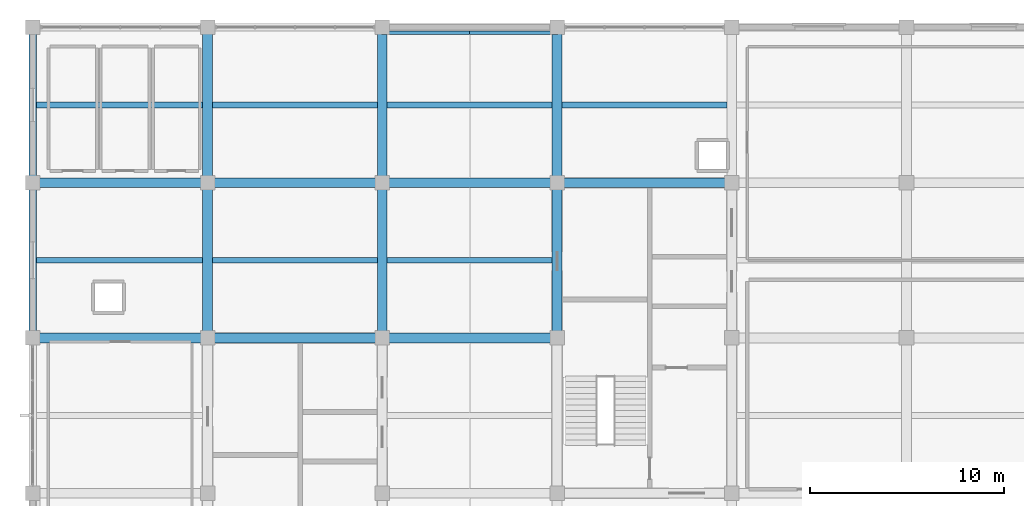
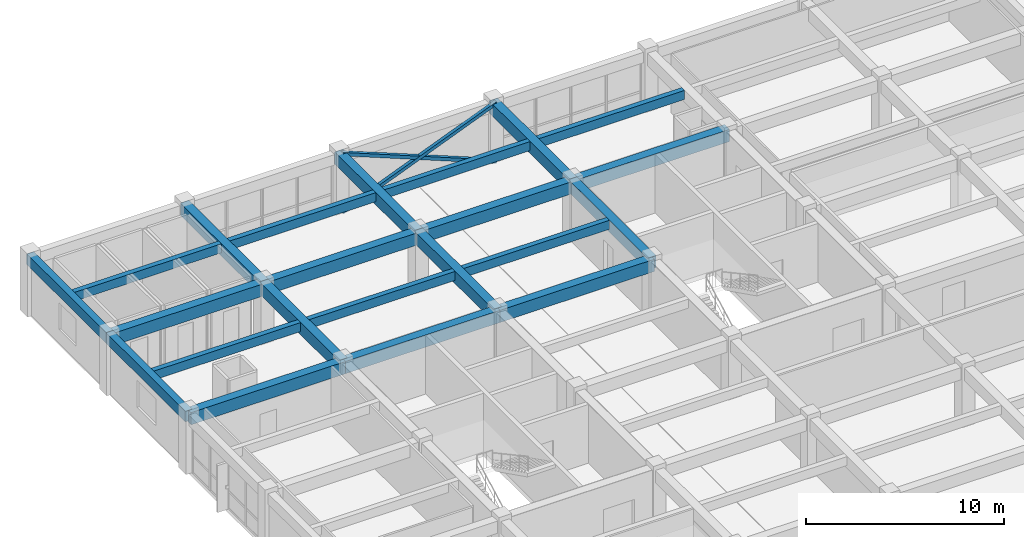
# One storey, part 7 of 15: 22 beams, 2 members.
"""IFC4 building model written with IfcOpenShell, lengths in metres."""

from ifc_helpers import new_model, si_unit, direction, frame, origin, origin_2d, place, context, subcontext, project, spatial, rectangle, hollow_rectangle, extrude, material, material_profile, profile_set, type_object, element, save


model = new_model("IFC4")

# Units and contexts
model_context = context("Model", 3, precision=1e-05, world=origin(), true_north=direction((0.0, 1.0)))
body_context = subcontext(model_context, "Body", "Model", "MODEL_VIEW")
ifc_project = project(units=[si_unit("LENGTHUNIT", "METRE"), si_unit("AREAUNIT", "SQUARE_METRE"), si_unit("VOLUMEUNIT", "CUBIC_METRE"), si_unit("PLANEANGLEUNIT", "RADIAN"), si_unit("MASSUNIT", "GRAM", prefix="KILO")], contexts=[model_context])

# Site, building, storey
site_placement = place(None, origin())
site = spatial("IfcSite", under=ifc_project, at=site_placement, CompositionType="ELEMENT")
building_placement = place(site_placement, origin())
building = spatial("IfcBuilding", under=site, at=building_placement, Name="Zaverband Oceanarium and Marine Research Institute", CompositionType="ELEMENT")
storey_placement = place(building_placement, frame((0.0, 0.0, 45.300048828125)))
storey = spatial("IfcBuildingStorey", under=building, at=storey_placement, Name="L11", CompositionType="ELEMENT", Elevation=45.300048828125)

# Beams
ifc_material_1 = material(Name="Concrete C40/50", Category="concrete")
ifc_material_profile_1 = material_profile(ifc_material_1, rectangle(XDim=0.5, YDim=0.75, at=origin_2d()), Name="RC500x750")
ifc_profile_set_1 = profile_set([ifc_material_profile_1], Name="Concrete C40/50")
beam_type_1 = type_object("IfcBeamType", Name="BM-500x750", PredefinedType="BEAM", material=ifc_profile_set_1)
for number, where, z_axis, x_axis, name in (
    (1, (9.0, 96.0, 3.244873046875), (1.0, 0.0, 0.0), (0.0, 1.0, 0.0), "Primary floor girder BM-500x750"),
    (2, (18.0, 96.0, 3.244873046875), (1.0, 0.0, 0.0), (0.0, 1.0, 0.0), "Primary floor girder BM-500x750"),
    (3, (27.0, 96.0, 3.244873046875), (1.0, 0.0, 0.0), (0.0, 1.0, 0.0), "Primary floor girder BM-500x750"),
    (4, (9.0, 104.0, 3.244873046875), (1.0, 0.0, 0.0), (0.0, 1.0, 0.0), "Primary floor girder BM-500x750"),
    (5, (18.0, 104.0, 3.244873046875), (1.0, 0.0, 0.0), (0.0, 1.0, 0.0), "Primary floor girder BM-500x750"),
    (6, (27.0, 104.0, 3.244873046875), (1.0, 0.0, 0.0), (0.0, 1.0, 0.0), "Primary floor girder BM-500x750"),
    (7, (36.0, 104.0, 3.244873046875), (1.0, 0.0, 0.0), (0.0, 1.0, 0.0), "Primary floor girder BM-500x750"),
):
    element("IfcBeam", number, at=place(storey_placement, frame(where, z_axis=z_axis, x_axis=x_axis)), inside=storey, type_object=beam_type_1, Name=name, PredefinedType="BEAM", context=body_context, shape_type="SweptSolid", body=[
        extrude(rectangle(XDim=0.5, YDim=0.75, at=origin_2d()), origin(), (0.0, 0.0, 1.0), 9.0),
    ])
for number, where, z_axis, x_axis, name in (
    (8, (18.0, 96.0, 3.244873046875), (0.0, 1.0, 0.0), (-1.0, 0.0, 0.0), "Primary floor girder BM-500x750"),
    (9, (18.0, 104.0, 3.244873046875), (0.0, 1.0, 0.0), (-1.0, 0.0, 0.0), "Primary floor girder BM-500x750"),
    (10, (27.0, 96.0, 3.244873046875), (0.0, 1.0, 0.0), (-1.0, 0.0, 0.0), "Primary floor girder BM-500x750"),
    (11, (27.0, 104.0, 3.244873046875), (0.0, 1.0, 0.0), (-1.0, 0.0, 0.0), "Primary floor girder BM-500x750"),
    (12, (36.0, 96.0, 3.244873046875), (0.0, 1.0, 0.0), (-1.0, 0.0, 0.0), "Primary floor girder BM-500x750"),
    (13, (36.0, 104.0, 3.244873046875), (0.0, 1.0, 0.0), (-1.0, 0.0, 0.0), "Primary floor girder BM-500x750"),
):
    element("IfcBeam", number, at=place(storey_placement, frame(where, z_axis=z_axis, x_axis=x_axis)), inside=storey, type_object=beam_type_1, Name=name, PredefinedType="BEAM", context=body_context, shape_type="SweptSolid", body=[
        extrude(rectangle(XDim=0.5, YDim=0.75, at=origin_2d()), origin(), (0.0, 0.0, 1.0), 8.0),
    ])

# Members
ifc_material_2 = material(Name="Steel S355", Category="steel")
ifc_material_profile_2 = material_profile(ifc_material_2, hollow_rectangle(XDim=0.199951171875, YDim=0.199951171875, WallThickness=0.010009765625, at=origin_2d()), Name="SHS200x200x10")
ifc_profile_set_2 = profile_set([ifc_material_profile_2], Name="Steel S355")
member_type = type_object("IfcMemberType", Name="BR-03", PredefinedType="BRACE", material=ifc_profile_set_2)
for number, where, z_axis, x_axis, name in (
    (14, (27.0, 111.719970703125, 0.0), (0.92776859026, 0.0, 0.373156057069), (0.0, 1.0, 0.0), "Diagonal lateral brace BR-03"),
    (15, (36.0, 111.719970703125, 0.0), (-0.92776859026, 0.0, 0.373156057069), (0.0, -1.0, 0.0), "Diagonal lateral brace BR-03"),
):
    element("IfcMember", number, at=place(storey_placement, frame(where, z_axis=z_axis, x_axis=x_axis)), inside=storey, type_object=member_type, Name=name, PredefinedType="BRACE", context=body_context, shape_type="SweptSolid", body=[
        extrude(hollow_rectangle(XDim=0.199951171875, YDim=0.199951171875, WallThickness=0.010009765625, at=origin_2d()), origin(), (0.0, 0.0, 1.0), 9.70068359375),
    ])

# Beams
ifc_material_profile_3 = material_profile(ifc_material_1, rectangle(XDim=0.300048828125, YDim=0.550048828125, at=origin_2d()), Name="RC300x550")
ifc_profile_set_3 = profile_set([ifc_material_profile_3], Name="Concrete C40/50")
beam_type_2 = type_object("IfcBeamType", Name="JST-300x550", PredefinedType="JOIST", material=ifc_profile_set_3)
for number, where, z_axis, x_axis, name in (
    (16, (9.199951171875, 100.0, 3.344970703125), (1.0, 0.0, 0.0), (0.0, 1.0, 0.0), "Secondary floor joist JST-300x550"),
    (17, (9.199951171875, 108.0, 3.344970703125), (1.0, 0.0, 0.0), (0.0, 1.0, 0.0), "Secondary floor joist JST-300x550"),
):
    element("IfcBeam", number, at=place(storey_placement, frame(where, z_axis=z_axis, x_axis=x_axis)), inside=storey, type_object=beam_type_2, Name=name, PredefinedType="JOIST", context=body_context, shape_type="SweptSolid", body=[
        extrude(rectangle(XDim=0.300048828125, YDim=0.550048828125, at=origin_2d()), origin(), (0.0, 0.0, 1.0), 8.550048828125),
    ])
for number, where, z_axis, x_axis, name in (
    (18, (18.25, 100.0, 3.344970703125), (1.0, 0.0, 0.0), (0.0, 1.0, 0.0), "Secondary floor joist JST-300x550"),
    (19, (18.25, 108.0, 3.344970703125), (1.0, 0.0, 0.0), (0.0, 1.0, 0.0), "Secondary floor joist JST-300x550"),
    (20, (27.25, 100.0, 3.344970703125), (1.0, 0.0, 0.0), (0.0, 1.0, 0.0), "Secondary floor joist JST-300x550"),
    (21, (27.25, 108.0, 3.344970703125), (1.0, 0.0, 0.0), (0.0, 1.0, 0.0), "Secondary floor joist JST-300x550"),
    (22, (36.25, 108.0, 3.344970703125), (1.0, 0.0, 0.0), (0.0, 1.0, 0.0), "Secondary floor joist JST-300x550"),
):
    element("IfcBeam", number, at=place(storey_placement, frame(where, z_axis=z_axis, x_axis=x_axis)), inside=storey, type_object=beam_type_2, Name=name, PredefinedType="JOIST", context=body_context, shape_type="SweptSolid", body=[
        extrude(rectangle(XDim=0.300048828125, YDim=0.550048828125, at=origin_2d()), origin(), (0.0, 0.0, 1.0), 8.5),
    ])
ifc_material_profile_4 = material_profile(ifc_material_1, rectangle(XDim=0.39990234375, YDim=0.64990234375, at=origin_2d()), Name="RC400x650")
ifc_profile_set_4 = profile_set([ifc_material_profile_4], Name="Concrete C40/50")
beam_type_3 = type_object("IfcBeamType", Name="SPN-400x650", PredefinedType="SPANDREL", material=ifc_profile_set_4)
for number, where, z_axis, x_axis, name in (
    (23, (9.0, 96.0, 3.294921875), (0.0, 1.0, 0.0), (-1.0, 0.0, 0.0), "Perimeter spandrel beam SPN-400x650"),
    (24, (9.0, 104.0, 3.294921875), (0.0, 1.0, 0.0), (-1.0, 0.0, 0.0), "Perimeter spandrel beam SPN-400x650"),
):
    element("IfcBeam", number, at=place(storey_placement, frame(where, z_axis=z_axis, x_axis=x_axis)), inside=storey, type_object=beam_type_3, Name=name, PredefinedType="SPANDREL", context=body_context, shape_type="SweptSolid", body=[
        extrude(rectangle(XDim=0.39990234375, YDim=0.64990234375, at=origin_2d()), origin(), (0.0, 0.0, 1.0), 8.0),
    ])

save(model, "model.ifc")
